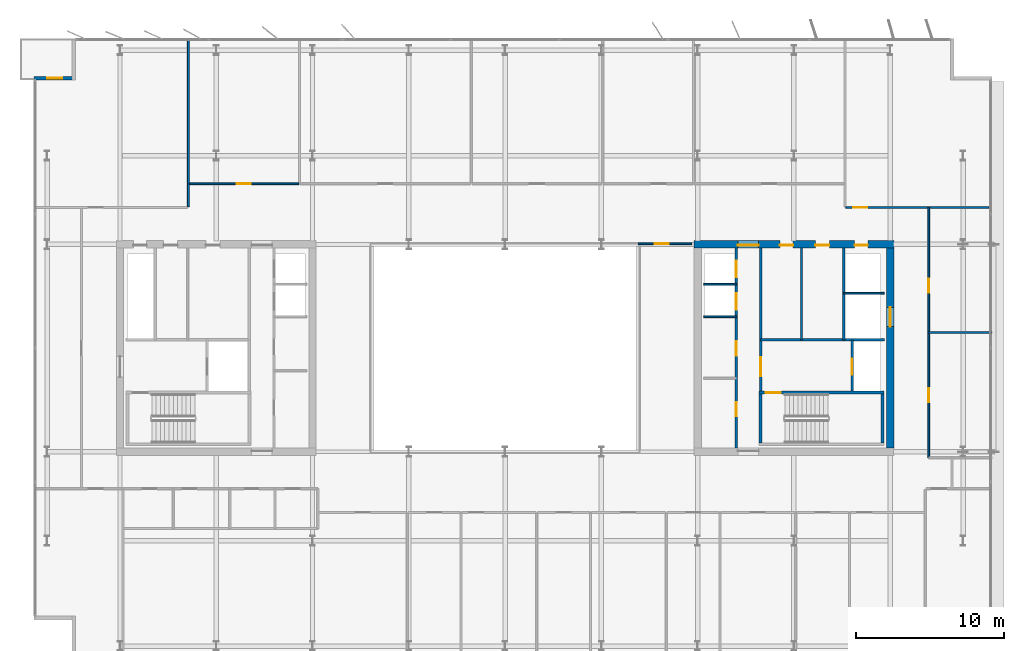
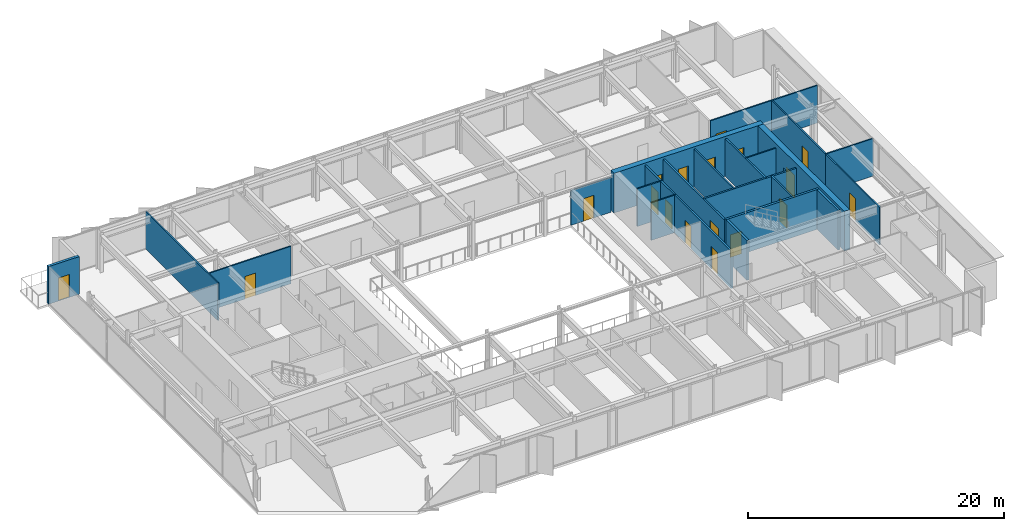
# One storey, part 15 of 20: 22 walls, 18 doors, 18 openings.
"""IFC4 building model written with IfcOpenShell, lengths in metres."""

from ifc_helpers import new_model, si_unit, direction, frame, frame_2d, origin, place, context, subcontext, project, spatial, rectangle, extrude, material, layer, layer_set, type_object, element, fill, save


model = new_model("IFC4")

# Units and contexts
model_context = context("Model", 3, precision=1e-05, world=origin(), true_north=direction((0.0, 1.0)))
body_context = subcontext(model_context, "Body", "Model", "MODEL_VIEW")
ifc_project = project(units=[si_unit("LENGTHUNIT", "METRE"), si_unit("AREAUNIT", "SQUARE_METRE"), si_unit("VOLUMEUNIT", "CUBIC_METRE"), si_unit("PLANEANGLEUNIT", "RADIAN"), si_unit("MASSUNIT", "GRAM", prefix="KILO")], contexts=[model_context])

# Site, building, storey
site_placement = place(None, origin())
site = spatial("IfcSite", under=ifc_project, at=site_placement, CompositionType="ELEMENT")
building_placement = place(site_placement, origin())
building = spatial("IfcBuilding", under=site, at=building_placement, Name="Putna Gate Headquarters", CompositionType="ELEMENT")
storey_placement = place(building_placement, frame((0.0, 0.0, 274.60009765625)))
storey = spatial("IfcBuildingStorey", under=building, at=storey_placement, Name="L69", CompositionType="ELEMENT", Elevation=274.60009765625)

# Wall, openings, doors
ifc_material_1 = material(Name="Concrete C50/60", Category="concrete")
ifc_layer_1 = layer(ifc_material_1, 0.5)
ifc_layer_set_1 = layer_set([ifc_layer_1], Name="Concrete C50/60")
wall_type_1 = type_object("IfcWallType", Name="WALL-CORE-500", PredefinedType="SHEAR", material=ifc_layer_set_1)
wall_1_placement = place(storey_placement, frame((51.75, 33.0, 0.0), z_axis=(0.0, 0.0, 1.0), x_axis=(1.0, 0.0, 0.0)))
wall_1 = element("IfcWall", 1, at=wall_1_placement, inside=storey, type_object=wall_type_1, Name="L69 EC Split Core Shear Wall N", PredefinedType="SHEAR", context=body_context, shape_type="SweptSolid", body=[
    extrude(rectangle(XDim=13.5, YDim=0.5, at=frame_2d((6.75, 0.0))), origin(), (0.0, 0.0, 1.0), 3.7998046875),
])
opening_1_placement = place(wall_1_placement, frame((2.969970703125, 0.0, 0.0)))
opening_1 = element("IfcOpeningElement", 2, at=opening_1_placement, cuts=wall_1, Name="Opening FDD-140", PredefinedType="OPENING", context=body_context, shape_type="SweptSolid", body=[
    extrude(rectangle(XDim=1.39990234375, YDim=2.199951171875, at=frame_2d((0.699951171875, 1.10009765625))), frame((0.0, 0.260009765625, 0.0), z_axis=(0.0, -1.0, 0.0), x_axis=(1.0, 0.0, 0.0)), (0.0, 0.0, 1.0), 0.52001953125),
])
opening_2_placement = place(wall_1_placement, frame((10.85009765625, 0.0, 0.0)))
opening_2 = element("IfcOpeningElement", 3, at=opening_2_placement, cuts=wall_1, Name="Opening RD-90", PredefinedType="OPENING", context=body_context, shape_type="SweptSolid", body=[
    extrude(rectangle(XDim=0.89990234375, YDim=2.14990234375, at=frame_2d((0.449951171875, 1.074951171875))), frame((0.0, 0.260009765625, 0.0), z_axis=(0.0, -1.0, 0.0), x_axis=(1.0, 0.0, 0.0)), (0.0, 0.0, 1.0), 0.52001953125),
])
opening_3_placement = place(wall_1_placement, frame((5.800048828125, 0.0, 0.0)))
opening_3 = element("IfcOpeningElement", 4, at=opening_3_placement, cuts=wall_1, Name="Opening IDS-90", PredefinedType="OPENING", context=body_context, shape_type="SweptSolid", body=[
    extrude(rectangle(XDim=0.89990234375, YDim=2.14990234375, at=frame_2d((0.449951171875, 1.074951171875))), frame((0.0, 0.260009765625, 0.0), z_axis=(0.0, -1.0, 0.0), x_axis=(1.0, 0.0, 0.0)), (0.0, 0.0, 1.0), 0.52001953125),
])
opening_4_placement = place(wall_1_placement, frame((8.199951171875, 0.0, 0.0)))
opening_4 = element("IfcOpeningElement", 5, at=opening_4_placement, cuts=wall_1, Name="Opening IDS-95", PredefinedType="OPENING", context=body_context, shape_type="SweptSolid", body=[
    extrude(rectangle(XDim=0.949951171875, YDim=2.14990234375, at=frame_2d((0.47509765625, 1.074951171875))), frame((0.0, 0.260009765625, 0.0), z_axis=(0.0, -1.0, 0.0), x_axis=(1.0, 0.0, 0.0)), (0.0, 0.0, 1.0), 0.52001953125),
])
ifc_material_2 = material(Name="Double steel fire door", Category="steel")
door_type_1 = type_object("IfcDoorType", Name="DOOR-FIRE-DBL-1400", OperationType="DOUBLE_DOOR_SINGLE_SWING", PredefinedType="DOOR", material=ifc_material_2)
door_1_placement = place(opening_1_placement, origin())
door_1 = element("IfcDoor", 6, at=door_1_placement, inside=storey, type_object=door_type_1, Name="L69 East Lift Lobby North Door", OperationType="DOUBLE_DOOR_SINGLE_SWING", OverallHeight=2.199951171875, OverallWidth=1.39990234375, PredefinedType="DOOR", context=body_context, shape_type="SweptSolid", body=[
    extrude(rectangle(XDim=1.39990234375, YDim=2.199951171875, at=frame_2d((0.699951171875, 1.10009765625))), frame((0.0, -0.02490234375, 0.0), z_axis=(0.0, -1.0, 0.0), x_axis=(1.0, 0.0, 0.0)), (0.0, 0.0, 1.0), 0.050048828125),
])
fill(opening_1, door_1)
ifc_material_3 = material(Name="Fire-rated utility door")
door_type_2 = type_object("IfcDoorType", Name="DOOR-INT-900", OperationType="NOTDEFINED", PredefinedType="DOOR", material=ifc_material_3)
door_2_placement = place(opening_3_placement, origin())
door_2 = element("IfcDoor", 7, at=door_2_placement, inside=storey, type_object=door_type_2, Name="L69 Telecoms Plant Door", OperationType="SINGLE_SWING_LEFT", OverallHeight=2.14990234375, OverallWidth=0.89990234375, PredefinedType="DOOR", context=body_context, shape_type="SweptSolid", body=[
    extrude(rectangle(XDim=0.89990234375, YDim=2.14990234375, at=frame_2d((0.449951171875, 1.074951171875))), frame((0.0, -0.02490234375, 0.0), z_axis=(0.0, -1.0, 0.0), x_axis=(1.0, 0.0, 0.0)), (0.0, 0.0, 1.0), 0.050048828125),
])
fill(opening_3, door_2)
ifc_material_4 = material(Name="Fire-rated service timber door", Category="wood")
door_type_3 = type_object("IfcDoorType", Name="DOOR-INT-950", OperationType="NOTDEFINED", PredefinedType="DOOR", material=ifc_material_4)
door_3_placement = place(opening_4_placement, origin())
door_3 = element("IfcDoor", 8, at=door_3_placement, inside=storey, type_object=door_type_3, Name="L69 Supplies Store Door", OperationType="SINGLE_SWING_RIGHT", OverallHeight=2.14990234375, OverallWidth=0.949951171875, PredefinedType="DOOR", context=body_context, shape_type="SweptSolid", body=[
    extrude(rectangle(XDim=0.949951171875, YDim=2.14990234375, at=frame_2d((0.47509765625, 1.074951171875))), frame((0.0, -0.02490234375, 0.0), z_axis=(0.0, -1.0, 0.0), x_axis=(1.0, 0.0, 0.0)), (0.0, 0.0, 1.0), 0.050048828125),
])
fill(opening_4, door_3)
ifc_material_5 = material(Name="Steel riser access fire door", Category="steel")
door_type_4 = type_object("IfcDoorType", Name="DOOR-RISER-900", OperationType="NOTDEFINED", PredefinedType="DOOR", material=ifc_material_5)
door_4_placement = place(opening_2_placement, origin())
door_4 = element("IfcDoor", 9, at=door_4_placement, inside=storey, type_object=door_type_4, Name="L69 East Riser Access Door", OperationType="SINGLE_SWING_LEFT", OverallHeight=2.14990234375, OverallWidth=0.89990234375, PredefinedType="DOOR", context=body_context, shape_type="SweptSolid", body=[
    extrude(rectangle(XDim=0.89990234375, YDim=2.14990234375, at=frame_2d((0.449951171875, 1.074951171875))), frame((0.0, -0.02490234375, 0.0), z_axis=(0.0, -1.0, 0.0), x_axis=(1.0, 0.0, 0.0)), (0.0, 0.0, 1.0), 0.050048828125),
])
fill(opening_2, door_4)

# Wall, opening, door
wall_2_placement = place(storey_placement, frame((65.0, 19.25, 0.0), z_axis=(0.0, 0.0, 1.0), x_axis=(0.0, 1.0, 0.0)))
wall_2 = element("IfcWall", 10, at=wall_2_placement, inside=storey, type_object=wall_type_1, Name="L69 EC Split Core Shear Wall E", PredefinedType="SHEAR", context=body_context, shape_type="SweptSolid", body=[
    extrude(rectangle(XDim=13.5, YDim=0.5, at=frame_2d((6.75, 0.0))), origin(), (0.0, 0.0, 1.0), 3.7998046875),
])
opening_5_placement = place(wall_2_placement, frame((8.199951171875, 0.0, 0.0)))
opening_5 = element("IfcOpeningElement", 11, at=opening_5_placement, cuts=wall_2, Name="Opening LD-2", PredefinedType="OPENING", context=body_context, shape_type="SweptSolid", body=[
    extrude(rectangle(XDim=1.300048828125, YDim=2.199951171875, at=frame_2d((0.64990234375, 1.10009765625))), frame((0.0, 0.260009765625, 0.0), z_axis=(0.0, -1.0, 0.0), x_axis=(1.0, 0.0, 0.0)), (0.0, 0.0, 1.0), 0.52001953125),
])
ifc_material_6 = material(Name="Heavy-duty goods lift sliding landing door")
door_type_5 = type_object("IfcDoorType", Name="DOOR-LIFT-1300", OperationType="DOUBLE_DOOR_SLIDING", PredefinedType="DOOR", material=ifc_material_6)
door_5_placement = place(opening_5_placement, origin())
door_5 = element("IfcDoor", 12, at=door_5_placement, inside=storey, type_object=door_type_5, Name="L69 Goods Lift Landing Door LD-15", OperationType="DOUBLE_DOOR_SLIDING", OverallHeight=2.199951171875, OverallWidth=1.300048828125, PredefinedType="DOOR", context=body_context, shape_type="SweptSolid", body=[
    extrude(rectangle(XDim=1.300048828125, YDim=2.199951171875, at=frame_2d((0.64990234375, 1.10009765625))), frame((0.0, 0.02490234375, 0.0), z_axis=(0.0, -1.0, 0.0), x_axis=(1.0, 0.0, 0.0)), (0.0, 0.0, 1.0), 0.050048828125),
])
fill(opening_5, door_5)

ifc_material_7 = material(Name="Precast concrete C40/50", Category="concrete")
ifc_layer_2 = layer(ifc_material_7, 0.239990234375)
ifc_layer_set_2 = layer_set([ifc_layer_2], Name="Precast concrete C40/50")
wall_type_2 = type_object("IfcWallType", Name="WALL-EXT-TERR-240", PredefinedType="STANDARD", material=ifc_layer_set_2)
wall_3_placement = place(storey_placement, frame((7.199951171875, 44.219970703125, 0.0), z_axis=(0.0, 0.0, 1.0), x_axis=(1.0, 0.0, 0.0)))
wall_3 = element("IfcWall", 13, at=wall_3_placement, inside=storey, type_object=wall_type_2, Name="L69 Corner Notch Return Wall NW-H", PredefinedType="STANDARD", context=body_context, shape_type="SweptSolid", body=[
    extrude(rectangle(XDim=2.800048828125, YDim=0.239990234375, at=frame_2d((1.39990234375, 0.0))), origin(), (0.0, 0.0, 1.0), 3.587890625),
])
opening_6_placement = place(wall_3_placement, frame((0.89990234375, 0.0, 0.0)))
opening_6 = element("IfcOpeningElement", 14, at=opening_6_placement, cuts=wall_3, Name="Opening TRD-1", PredefinedType="OPENING", context=body_context, shape_type="SweptSolid", body=[
    extrude(rectangle(XDim=1.0, YDim=2.199951171875, at=frame_2d((0.5, 1.10009765625))), frame((0.0, 0.1298828125, 0.0), z_axis=(0.0, -1.0, 0.0), x_axis=(1.0, 0.0, 0.0)), (0.0, 0.0, 1.0), 0.260009765625),
])
ifc_material_8 = material(Name="Thermally broken bronze glazed terrace door")
door_type_6 = type_object("IfcDoorType", Name="DOOR-TERR-EXT-1000", OperationType="NOTDEFINED", PredefinedType="DOOR", material=ifc_material_8)
door_6_placement = place(opening_6_placement, origin())
door_6 = element("IfcDoor", 15, at=door_6_placement, inside=storey, type_object=door_type_6, Name="L69 Spiral Sky Terrace Door NW", OperationType="SINGLE_SWING_RIGHT", OverallHeight=2.199951171875, OverallWidth=1.0, PredefinedType="DOOR", context=body_context, shape_type="SweptSolid", body=[
    extrude(rectangle(XDim=1.0, YDim=2.199951171875, at=frame_2d((0.5, 1.10009765625))), frame((0.0, 0.02490234375, 0.0), z_axis=(0.0, -1.0, 0.0), x_axis=(1.0, 0.0, 0.0)), (0.0, 0.0, 1.0), 0.050048828125),
])
fill(opening_6, door_6)

ifc_material_9 = material(Name="Acoustic gypsum board on metal stud")
ifc_layer_3 = layer(ifc_material_9, 0.1201171875)
ifc_layer_set_3 = layer_set([ifc_layer_3], Name="Acoustic gypsum board on metal stud")
wall_type_3 = type_object("IfcWallType", Name="WALL-PART-120", PredefinedType="PARTITIONING", material=ifc_layer_set_3)
wall_4_placement = place(storey_placement, frame((48.0, 33.0400390625, 0.0), z_axis=(0.0, 0.0, 1.0), x_axis=(1.0, 0.0, 0.0)))
wall_4 = element("IfcWall", 16, at=wall_4_placement, inside=storey, type_object=wall_type_3, Name="L69 Interior Wall PART-L69-ATR-E-N", PredefinedType="PARTITIONING", context=body_context, shape_type="SweptSolid", body=[
    extrude(rectangle(XDim=3.60009765625, YDim=0.1201171875, at=frame_2d((1.800048828125, 0.0))), origin(), (0.0, 0.0, 1.0), 3.327880859375),
])
opening_7_placement = place(wall_4_placement, frame((1.10009765625, 0.0, 0.0)))
opening_7 = element("IfcOpeningElement", 17, at=opening_7_placement, cuts=wall_4, Name="Opening ID-95", PredefinedType="OPENING", context=body_context, shape_type="SweptSolid", body=[
    extrude(rectangle(XDim=0.949951171875, YDim=2.14990234375, at=frame_2d((0.47509765625, 1.074951171875))), frame((0.0, 0.070068359375, 0.0), z_axis=(0.0, -1.0, 0.0), x_axis=(1.0, 0.0, 0.0)), (0.0, 0.0, 1.0), 0.14013671875),
])
ifc_material_10 = material(Name="Veneered acoustic timber door", Category="wood")
door_type_7 = type_object("IfcDoorType", Name="DOOR-OFF-950", OperationType="NOTDEFINED", PredefinedType="DOOR", material=ifc_material_10)
door_7_placement = place(opening_7_placement, origin())
door_7 = element("IfcDoor", 18, at=door_7_placement, inside=storey, type_object=door_type_7, Name="L69 East Sky Atrium Lounge Door", OperationType="SINGLE_SWING_LEFT", OverallHeight=2.14990234375, OverallWidth=0.949951171875, PredefinedType="DOOR", context=body_context, shape_type="SweptSolid", body=[
    extrude(rectangle(XDim=0.949951171875, YDim=2.14990234375, at=frame_2d((0.47509765625, 1.074951171875))), frame((0.0, 0.02490234375, 0.0), z_axis=(0.0, -1.0, 0.0), x_axis=(1.0, 0.0, 0.0)), (0.0, 0.0, 1.0), 0.050048828125),
])
fill(opening_7, door_7)

# Walls
wall_5_placement = place(storey_placement, frame((17.6171875, 35.56005859375, 0.0), z_axis=(0.0, 0.0, 1.0), x_axis=(0.0, 1.0, 0.0)))
element("IfcWall", 19, at=wall_5_placement, inside=storey, type_object=wall_type_3, Name="L69 Interior Wall PART-L69-NB-DIV-01", PredefinedType="PARTITIONING", context=body_context, shape_type="SweptSolid", body=[
    extrude(rectangle(XDim=11.31982421875, YDim=0.1201171875, at=frame_2d((5.659912109375, 0.0))), origin(), (0.0, 0.0, 1.0), 3.587890625),
])
wall_6_placement = place(storey_placement, frame((67.60009765625, 27.050048828125, 0.0), z_axis=(0.0, 0.0, 1.0), x_axis=(1.0, 0.0, 0.0)))
element("IfcWall", 20, at=wall_6_placement, inside=storey, type_object=wall_type_3, Name="L69 Interior Wall PART-L69-EW-DIV-1", PredefinedType="PARTITIONING", context=body_context, shape_type="SweptSolid", body=[
    extrude(rectangle(XDim=4.244873046875, YDim=0.1201171875, at=frame_2d((2.12255859375, 0.0))), origin(), (0.0, 0.0, 1.0), 3.587890625),
])
ifc_material_11 = material(Name="Fire-rated shaftwall gypsum board on metal stud")
ifc_layer_4 = layer(ifc_material_11, 0.1201171875)
ifc_layer_set_4 = layer_set([ifc_layer_4], Name="Fire-rated shaftwall gypsum board on metal stud")
wall_type_4 = type_object("IfcWallType", Name="WALL-PART-120-EI120", PredefinedType="PARTITIONING", material=ifc_layer_set_4)
wall_7_placement = place(storey_placement, frame((52.39990234375, 30.31005859375, 0.0), z_axis=(0.0, 0.0, 1.0), x_axis=(1.0, 0.0, 0.0)))
element("IfcWall", 21, at=wall_7_placement, inside=storey, type_object=wall_type_4, Name="L69 Interior Wall CWINT-L69-EC-LF11-DIV", PredefinedType="PARTITIONING", context=body_context, shape_type="SweptSolid", body=[
    extrude(rectangle(XDim=2.2001953125, YDim=0.1201171875, at=frame_2d((1.10009765625, 0.0))), origin(), (0.0, 0.0, 1.0), 3.587890625),
])
wall_8_placement = place(storey_placement, frame((61.8701171875, 29.699951171875, 0.0), z_axis=(0.0, 0.0, 1.0), x_axis=(1.0, 0.0, 0.0)))
element("IfcWall", 22, at=wall_8_placement, inside=storey, type_object=wall_type_4, Name="L69 Interior Wall CWINT-L69-EC-LF15-N", PredefinedType="PARTITIONING", context=body_context, shape_type="SweptSolid", body=[
    extrude(rectangle(XDim=2.72998046875, YDim=0.1201171875, at=frame_2d((1.364990234375, 0.0))), origin(), (0.0, 0.0, 1.0), 3.587890625),
])
ifc_material_12 = material(Name="Fire-rated gypsum board on metal stud")
ifc_layer_5 = layer(ifc_material_12, 0.1201171875)
ifc_layer_set_5 = layer_set([ifc_layer_5], Name="Fire-rated gypsum board on metal stud")
wall_type_5 = type_object("IfcWallType", Name="WALL-PART-120-RATED", PredefinedType="PARTITIONING", material=ifc_layer_set_5)
wall_9_placement = place(storey_placement, frame((52.39990234375, 28.1201171875, 0.0), z_axis=(0.0, 0.0, 1.0), x_axis=(1.0, 0.0, 0.0)))
element("IfcWall", 23, at=wall_9_placement, inside=storey, type_object=wall_type_5, Name="L69 Interior Wall CWINT-L69-EC-LF08-DIV", PredefinedType="PARTITIONING", context=body_context, shape_type="SweptSolid", body=[
    extrude(rectangle(XDim=2.2001953125, YDim=0.1201171875, at=frame_2d((1.10009765625, 0.0))), origin(), (0.0, 0.0, 1.0), 3.587890625),
])
wall_10_placement = place(storey_placement, frame((59.02001953125, 26.56005859375, 0.0), z_axis=(0.0, 0.0, 1.0), x_axis=(0.0, 1.0, 0.0)))
element("IfcWall", 24, at=wall_10_placement, inside=storey, type_object=wall_type_5, Name="L69 Interior Wall CWINT-L69-EC-K1-DIV", PredefinedType="PARTITIONING", context=body_context, shape_type="SweptSolid", body=[
    extrude(rectangle(XDim=6.18994140625, YDim=0.1201171875, at=frame_2d((3.094970703125, 0.0))), origin(), (0.0, 0.0, 1.0), 3.587890625),
])

# Wall, opening, door
wall_11_placement = place(storey_placement, frame((17.67724609375, 37.10009765625, 0.0), z_axis=(0.0, 0.0, 1.0), x_axis=(1.0, 0.0, 0.0)))
wall_11 = element("IfcWall", 25, at=wall_11_placement, inside=storey, type_object=wall_type_5, Name="L69 Interior Wall PART-L69-NB-CW-02", PredefinedType="PARTITIONING", context=body_context, shape_type="SweptSolid", body=[
    extrude(rectangle(XDim=7.378173828125, YDim=0.1201171875, at=frame_2d((3.68896484375, 0.0))), origin(), (0.0, 0.0, 1.0), 3.587890625),
])
opening_8_placement = place(wall_11_placement, frame((3.214111328125, 0.0, 0.0)))
opening_8 = element("IfcOpeningElement", 26, at=opening_8_placement, cuts=wall_11, Name="Opening FD-95", PredefinedType="OPENING", context=body_context, shape_type="SweptSolid", body=[
    extrude(rectangle(XDim=0.949951171875, YDim=2.14990234375, at=frame_2d((0.47509765625, 1.074951171875))), frame((0.0, 0.070068359375, 0.0), z_axis=(0.0, -1.0, 0.0), x_axis=(1.0, 0.0, 0.0)), (0.0, 0.0, 1.0), 0.14013671875),
])
ifc_material_13 = material(Name="Acoustic timber fire door", Category="wood")
door_type_8 = type_object("IfcDoorType", Name="DOOR-FIRE-950", OperationType="NOTDEFINED", PredefinedType="DOOR", material=ifc_material_13)
door_8_placement = place(opening_8_placement, origin())
door_8 = element("IfcDoor", 27, at=door_8_placement, inside=storey, type_object=door_type_8, Name="L69 Quiet Wellness Focus Studio 3 Door", OperationType="SINGLE_SWING_LEFT", OverallHeight=2.14990234375, OverallWidth=0.949951171875, PredefinedType="DOOR", context=body_context, shape_type="SweptSolid", body=[
    extrude(rectangle(XDim=0.949951171875, YDim=2.14990234375, at=frame_2d((0.47509765625, 1.074951171875))), frame((0.0, 0.02490234375, 0.0), z_axis=(0.0, -1.0, 0.0), x_axis=(1.0, 0.0, 0.0)), (0.0, 0.0, 1.0), 0.050048828125),
])
fill(opening_8, door_8)

wall_12_placement = place(storey_placement, frame((62.015625, 35.5, 0.0), z_axis=(0.0, 0.0, 1.0), x_axis=(1.0, 0.0, 0.0)))
wall_12 = element("IfcWall", 28, at=wall_12_placement, inside=storey, type_object=wall_type_5, Name="L69 Interior Wall PART-L69-NB-CW-07", PredefinedType="PARTITIONING", context=body_context, shape_type="SweptSolid", body=[
    extrude(rectangle(XDim=9.669189453125, YDim=0.1201171875, at=frame_2d((4.83447265625, 0.0))), origin(), (0.0, 0.0, 1.0), 3.587890625),
])
opening_9_placement = place(wall_12_placement, frame((0.47998046875, 0.0, 0.0)))
opening_9 = element("IfcOpeningElement", 29, at=opening_9_placement, cuts=wall_12, Name="Opening FD-95", PredefinedType="OPENING", context=body_context, shape_type="SweptSolid", body=[
    extrude(rectangle(XDim=0.949951171875, YDim=2.14990234375, at=frame_2d((0.47509765625, 1.074951171875))), frame((0.0, 0.070068359375, 0.0), z_axis=(0.0, -1.0, 0.0), x_axis=(1.0, 0.0, 0.0)), (0.0, 0.0, 1.0), 0.14013671875),
])
door_9_placement = place(opening_9_placement, origin())
door_9 = element("IfcDoor", 30, at=door_9_placement, inside=storey, type_object=door_type_8, Name="L69 Collaborative Breakout Lounge 3 Door", OperationType="SINGLE_SWING_RIGHT", OverallHeight=2.14990234375, OverallWidth=0.949951171875, PredefinedType="DOOR", context=body_context, shape_type="SweptSolid", body=[
    extrude(rectangle(XDim=0.949951171875, YDim=2.14990234375, at=frame_2d((0.47509765625, 1.074951171875))), frame((0.0, 0.02490234375, 0.0), z_axis=(0.0, -1.0, 0.0), x_axis=(1.0, 0.0, 0.0)), (0.0, 0.0, 1.0), 0.050048828125),
])
fill(opening_9, door_9)

wall_13_placement = place(storey_placement, frame((67.60009765625, 18.60009765625, 0.0), z_axis=(0.0, 0.0, 1.0), x_axis=(0.0, 1.0, 0.0)))
wall_13 = element("IfcWall", 31, at=wall_13_placement, inside=storey, type_object=wall_type_5, Name="L69 Interior Wall PART-L69-EW-CW-1", PredefinedType="PARTITIONING", context=body_context, shape_type="SweptSolid", body=[
    extrude(rectangle(XDim=8.449951171875, YDim=0.1201171875, at=frame_2d((4.22509765625, 0.0))), origin(), (0.0, 0.0, 1.0), 3.587890625),
])
opening_10_placement = place(wall_13_placement, frame((3.75, 0.0, 0.0)))
opening_10 = element("IfcOpeningElement", 32, at=opening_10_placement, cuts=wall_13, Name="Opening FD-95", PredefinedType="OPENING", context=body_context, shape_type="SweptSolid", body=[
    extrude(rectangle(XDim=0.949951171875, YDim=2.14990234375, at=frame_2d((0.47509765625, 1.074951171875))), frame((0.0, 0.070068359375, 0.0), z_axis=(0.0, -1.0, 0.0), x_axis=(1.0, 0.0, 0.0)), (0.0, 0.0, 1.0), 0.14013671875),
])
door_10_placement = place(opening_10_placement, origin())
door_10 = element("IfcDoor", 33, at=door_10_placement, inside=storey, type_object=door_type_8, Name="L69 East Advisory Office 1 Door", OperationType="SINGLE_SWING_LEFT", OverallHeight=2.14990234375, OverallWidth=0.949951171875, PredefinedType="DOOR", context=body_context, shape_type="SweptSolid", body=[
    extrude(rectangle(XDim=0.949951171875, YDim=2.14990234375, at=frame_2d((0.47509765625, 1.074951171875))), frame((0.0, 0.02490234375, 0.0), z_axis=(0.0, -1.0, 0.0), x_axis=(1.0, 0.0, 0.0)), (0.0, 0.0, 1.0), 0.050048828125),
])
fill(opening_10, door_10)

wall_14_placement = place(storey_placement, frame((67.60009765625, 27.050048828125, 0.0), z_axis=(0.0, 0.0, 1.0), x_axis=(0.0, 1.0, 0.0)))
wall_14 = element("IfcWall", 34, at=wall_14_placement, inside=storey, type_object=wall_type_5, Name="L69 Interior Wall PART-L69-EW-CW-2", PredefinedType="PARTITIONING", context=body_context, shape_type="SweptSolid", body=[
    extrude(rectangle(XDim=8.449951171875, YDim=0.1201171875, at=frame_2d((4.22509765625, 0.0))), origin(), (0.0, 0.0, 1.0), 3.587890625),
])
opening_11_placement = place(wall_14_placement, frame((2.699951171875, 0.0, 0.0)))
opening_11 = element("IfcOpeningElement", 35, at=opening_11_placement, cuts=wall_14, Name="Opening FD-95", PredefinedType="OPENING", context=body_context, shape_type="SweptSolid", body=[
    extrude(rectangle(XDim=0.949951171875, YDim=2.14990234375, at=frame_2d((0.47509765625, 1.074951171875))), frame((0.0, 0.070068359375, 0.0), z_axis=(0.0, -1.0, 0.0), x_axis=(1.0, 0.0, 0.0)), (0.0, 0.0, 1.0), 0.14013671875),
])
door_11_placement = place(opening_11_placement, origin())
door_11 = element("IfcDoor", 36, at=door_11_placement, inside=storey, type_object=door_type_8, Name="L69 East Advisory Office 2 Door", OperationType="SINGLE_SWING_RIGHT", OverallHeight=2.14990234375, OverallWidth=0.949951171875, PredefinedType="DOOR", context=body_context, shape_type="SweptSolid", body=[
    extrude(rectangle(XDim=0.949951171875, YDim=2.14990234375, at=frame_2d((0.47509765625, 1.074951171875))), frame((0.0, 0.02490234375, 0.0), z_axis=(0.0, -1.0, 0.0), x_axis=(1.0, 0.0, 0.0)), (0.0, 0.0, 1.0), 0.050048828125),
])
fill(opening_11, door_11)

# Wall, openings, doors
ifc_material_14 = material(Name="Concrete C40/50", Category="concrete")
ifc_layer_6 = layer(ifc_material_14, 0.159912109375)
ifc_layer_set_6 = layer_set([ifc_layer_6], Name="Concrete C40/50")
wall_type_6 = type_object("IfcWallType", Name="WALL-SHAFT-160", PredefinedType="STANDARD", material=ifc_layer_set_6)
wall_15_placement = place(storey_placement, frame((54.60009765625, 19.25, 0.0), z_axis=(0.0, 0.0, 1.0), x_axis=(0.0, 1.0, 0.0)))
wall_15 = element("IfcWall", 37, at=wall_15_placement, inside=storey, type_object=wall_type_6, Name="L69 Interior Wall CWINT-L69-EC-PL-WALL", PredefinedType="STANDARD", context=body_context, shape_type="SweptSolid", body=[
    extrude(rectangle(XDim=13.5, YDim=0.159912109375, at=frame_2d((6.75, 0.0))), origin(), (0.0, 0.0, 1.0), 3.587890625),
])
opening_12_placement = place(wall_15_placement, frame((2.14990234375, 0.0, 0.0)))
opening_12 = element("IfcOpeningElement", 38, at=opening_12_placement, cuts=wall_15, Name="Opening IDS-95", PredefinedType="OPENING", context=body_context, shape_type="SweptSolid", body=[
    extrude(rectangle(XDim=0.949951171875, YDim=2.14990234375, at=frame_2d((0.47509765625, 1.074951171875))), frame((0.0, 0.08984375, 0.0), z_axis=(0.0, -1.0, 0.0), x_axis=(1.0, 0.0, 0.0)), (0.0, 0.0, 1.0), 0.179931640625),
])
opening_13_placement = place(wall_15_placement, frame((6.25, 0.0, 0.0)))
opening_13 = element("IfcOpeningElement", 39, at=opening_13_placement, cuts=wall_15, Name="Opening IDS-95", PredefinedType="OPENING", context=body_context, shape_type="SweptSolid", body=[
    extrude(rectangle(XDim=0.949951171875, YDim=2.14990234375, at=frame_2d((0.47509765625, 1.074951171875))), frame((0.0, 0.08984375, 0.0), z_axis=(0.0, -1.0, 0.0), x_axis=(1.0, 0.0, 0.0)), (0.0, 0.0, 1.0), 0.179931640625),
])
opening_14_placement = place(wall_15_placement, frame((9.35009765625, 0.0, 0.0)))
opening_14 = element("IfcOpeningElement", 40, at=opening_14_placement, cuts=wall_15, Name="Opening LD-1", PredefinedType="OPENING", context=body_context, shape_type="SweptSolid", body=[
    extrude(rectangle(XDim=1.10009765625, YDim=2.199951171875, at=frame_2d((0.550048828125, 1.10009765625))), frame((0.0, 0.08984375, 0.0), z_axis=(0.0, -1.0, 0.0), x_axis=(1.0, 0.0, 0.0)), (0.0, 0.0, 1.0), 0.179931640625),
])
opening_15_placement = place(wall_15_placement, frame((11.550048828125, 0.0, 0.0)))
opening_15 = element("IfcOpeningElement", 41, at=opening_15_placement, cuts=wall_15, Name="Opening LD-1", PredefinedType="OPENING", context=body_context, shape_type="SweptSolid", body=[
    extrude(rectangle(XDim=1.10009765625, YDim=2.199951171875, at=frame_2d((0.550048828125, 1.10009765625))), frame((0.0, 0.08984375, 0.0), z_axis=(0.0, -1.0, 0.0), x_axis=(1.0, 0.0, 0.0)), (0.0, 0.0, 1.0), 0.179931640625),
])
door_12_placement = place(opening_12_placement, origin())
door_12 = element("IfcDoor", 42, at=door_12_placement, inside=storey, type_object=door_type_3, Name="L69 Executive Archive Door", OperationType="SINGLE_SWING_RIGHT", OverallHeight=2.14990234375, OverallWidth=0.949951171875, PredefinedType="DOOR", context=body_context, shape_type="SweptSolid", body=[
    extrude(rectangle(XDim=0.949951171875, YDim=2.14990234375, at=frame_2d((0.47509765625, 1.074951171875))), frame((0.0, 0.02490234375, 0.0), z_axis=(0.0, -1.0, 0.0), x_axis=(1.0, 0.0, 0.0)), (0.0, 0.0, 1.0), 0.050048828125),
])
fill(opening_12, door_12)
door_13_placement = place(opening_13_placement, origin())
door_13 = element("IfcDoor", 43, at=door_13_placement, inside=storey, type_object=door_type_3, Name="L69 Comms Distribution Door", OperationType="SINGLE_SWING_LEFT", OverallHeight=2.14990234375, OverallWidth=0.949951171875, PredefinedType="DOOR", context=body_context, shape_type="SweptSolid", body=[
    extrude(rectangle(XDim=0.949951171875, YDim=2.14990234375, at=frame_2d((0.47509765625, 1.074951171875))), frame((0.0, 0.02490234375, 0.0), z_axis=(0.0, -1.0, 0.0), x_axis=(1.0, 0.0, 0.0)), (0.0, 0.0, 1.0), 0.050048828125),
])
fill(opening_13, door_13)
ifc_material_15 = material(Name="Brushed bronze stainless lift landing door")
door_type_9 = type_object("IfcDoorType", Name="DOOR-LIFT-1100", OperationType="DOUBLE_DOOR_SLIDING", PredefinedType="DOOR", material=ifc_material_15)
door_14_placement = place(opening_14_placement, origin())
door_14 = element("IfcDoor", 44, at=door_14_placement, inside=storey, type_object=door_type_9, Name="L69 Lift Landing Door LD-11", OperationType="DOUBLE_DOOR_SLIDING", OverallHeight=2.199951171875, OverallWidth=1.10009765625, PredefinedType="DOOR", context=body_context, shape_type="SweptSolid", body=[
    extrude(rectangle(XDim=1.10009765625, YDim=2.199951171875, at=frame_2d((0.550048828125, 1.10009765625))), frame((0.0, 0.02490234375, 0.0), z_axis=(0.0, -1.0, 0.0), x_axis=(1.0, 0.0, 0.0)), (0.0, 0.0, 1.0), 0.050048828125),
])
fill(opening_14, door_14)
door_15_placement = place(opening_15_placement, origin())
door_15 = element("IfcDoor", 45, at=door_15_placement, inside=storey, type_object=door_type_9, Name="L69 Lift Landing Door LD-12", OperationType="DOUBLE_DOOR_SLIDING", OverallHeight=2.199951171875, OverallWidth=1.10009765625, PredefinedType="DOOR", context=body_context, shape_type="SweptSolid", body=[
    extrude(rectangle(XDim=1.10009765625, YDim=2.199951171875, at=frame_2d((0.550048828125, 1.10009765625))), frame((0.0, 0.02490234375, 0.0), z_axis=(0.0, -1.0, 0.0), x_axis=(1.0, 0.0, 0.0)), (0.0, 0.0, 1.0), 0.050048828125),
])
fill(opening_15, door_15)

# Wall, opening, door
wall_16_placement = place(storey_placement, frame((56.260009765625, 23.090087890625, 0.0), z_axis=(0.0, 0.0, 1.0), x_axis=(0.0, 1.0, 0.0)))
wall_16 = element("IfcWall", 46, at=wall_16_placement, inside=storey, type_object=wall_type_6, Name="L69 Interior Wall CWINT-L69-EC-LOB-E", PredefinedType="STANDARD", context=body_context, shape_type="SweptSolid", body=[
    extrude(rectangle(XDim=9.659912109375, YDim=0.159912109375, at=frame_2d((4.830078125, 0.0))), origin(), (0.0, 0.0, 1.0), 3.587890625),
])
opening_16_placement = place(wall_16_placement, frame((1.010009765625, 0.0, 0.0)))
opening_16 = element("IfcOpeningElement", 47, at=opening_16_placement, cuts=wall_16, Name="Opening FDD-130", PredefinedType="OPENING", context=body_context, shape_type="SweptSolid", body=[
    extrude(rectangle(XDim=1.300048828125, YDim=2.199951171875, at=frame_2d((0.64990234375, 1.10009765625))), frame((0.0, 0.08984375, 0.0), z_axis=(0.0, -1.0, 0.0), x_axis=(1.0, 0.0, 0.0)), (0.0, 0.0, 1.0), 0.179931640625),
])
ifc_material_16 = material(Name="Double steel lobby fire door", Category="steel")
door_type_10 = type_object("IfcDoorType", Name="DOOR-FIRE-DBL-1300", OperationType="DOUBLE_DOOR_SINGLE_SWING", PredefinedType="DOOR", material=ifc_material_16)
door_16_placement = place(opening_16_placement, origin())
door_16 = element("IfcDoor", 48, at=door_16_placement, inside=storey, type_object=door_type_10, Name="L69 East Firefighting Lobby Door", OperationType="DOUBLE_DOOR_SINGLE_SWING", OverallHeight=2.199951171875, OverallWidth=1.300048828125, PredefinedType="DOOR", context=body_context, shape_type="SweptSolid", body=[
    extrude(rectangle(XDim=1.300048828125, YDim=2.199951171875, at=frame_2d((0.64990234375, 1.10009765625))), frame((0.0, 0.02490234375, 0.0), z_axis=(0.0, -1.0, 0.0), x_axis=(1.0, 0.0, 0.0)), (0.0, 0.0, 1.0), 0.050048828125),
])
fill(opening_16, door_16)

wall_17_placement = place(storey_placement, frame((62.429931640625, 23.090087890625, 0.0), z_axis=(0.0, 0.0, 1.0), x_axis=(0.0, 1.0, 0.0)))
wall_17 = element("IfcWall", 49, at=wall_17_placement, inside=storey, type_object=wall_type_6, Name="L69 Interior Wall CWINT-L69-EC-LF14-W", PredefinedType="STANDARD", context=body_context, shape_type="SweptSolid", body=[
    extrude(rectangle(XDim=3.469970703125, YDim=0.159912109375, at=frame_2d((1.73486328125, 0.0))), origin(), (0.0, 0.0, 1.0), 3.587890625),
])
opening_17_placement = place(wall_17_placement, frame((1.10009765625, 0.0, 0.0)))
opening_17 = element("IfcOpeningElement", 50, at=opening_17_placement, cuts=wall_17, Name="Opening LD-1", PredefinedType="OPENING", context=body_context, shape_type="SweptSolid", body=[
    extrude(rectangle(XDim=1.10009765625, YDim=2.199951171875, at=frame_2d((0.550048828125, 1.10009765625))), frame((0.0, 0.08984375, 0.0), z_axis=(0.0, -1.0, 0.0), x_axis=(1.0, 0.0, 0.0)), (0.0, 0.0, 1.0), 0.179931640625),
])
door_17_placement = place(opening_17_placement, origin())
door_17 = element("IfcDoor", 51, at=door_17_placement, inside=storey, type_object=door_type_9, Name="L69 Lift Landing Door LD-14", OperationType="DOUBLE_DOOR_SLIDING", OverallHeight=2.199951171875, OverallWidth=1.10009765625, PredefinedType="DOOR", context=body_context, shape_type="SweptSolid", body=[
    extrude(rectangle(XDim=1.10009765625, YDim=2.199951171875, at=frame_2d((0.550048828125, 1.10009765625))), frame((0.0, 0.02490234375, 0.0), z_axis=(0.0, -1.0, 0.0), x_axis=(1.0, 0.0, 0.0)), (0.0, 0.0, 1.0), 0.050048828125),
])
fill(opening_17, door_17)

# Walls
wall_18_placement = place(storey_placement, frame((56.260009765625, 26.56005859375, 0.0), z_axis=(0.0, 0.0, 1.0), x_axis=(1.0, 0.0, 0.0)))
element("IfcWall", 52, at=wall_18_placement, inside=storey, type_object=wall_type_6, Name="L69 Interior Wall CWINT-L69-EC-FFL-N", PredefinedType="STANDARD", context=body_context, shape_type="SweptSolid", body=[
    extrude(rectangle(XDim=8.340087890625, YDim=0.159912109375, at=frame_2d((4.169921875, 0.0))), origin(), (0.0, 0.0, 1.0), 3.587890625),
])
wall_19_placement = place(storey_placement, frame((61.8701171875, 26.56005859375, 0.0), z_axis=(0.0, 0.0, 1.0), x_axis=(0.0, 1.0, 0.0)))
element("IfcWall", 53, at=wall_19_placement, inside=storey, type_object=wall_type_6, Name="L69 Interior Wall CWINT-L69-EC-LF15-W", PredefinedType="STANDARD", context=body_context, shape_type="SweptSolid", body=[
    extrude(rectangle(XDim=6.18994140625, YDim=0.159912109375, at=frame_2d((3.094970703125, 0.0))), origin(), (0.0, 0.0, 1.0), 3.587890625),
])

# Wall, opening, door
ifc_layer_7 = layer(ifc_material_14, 0.199951171875)
ifc_layer_set_7 = layer_set([ifc_layer_7], Name="Concrete C40/50")
wall_type_7 = type_object("IfcWallType", Name="WALL-SHAFT-RC200", PredefinedType="SHEAR", material=ifc_layer_set_7)
wall_20_placement = place(storey_placement, frame((56.159912109375, 22.989990234375, 0.0), z_axis=(0.0, 0.0, 1.0), x_axis=(1.0, 0.0, 0.0)))
wall_20 = element("IfcWall", 54, at=wall_20_placement, inside=storey, type_object=wall_type_7, Name="L69 Stair ST2 Structural Shaft Wall N", PredefinedType="SHEAR", context=body_context, shape_type="SweptSolid", body=[
    extrude(rectangle(XDim=8.43017578125, YDim=0.199951171875, at=frame_2d((4.215087890625, 0.0))), origin(), (0.0, 0.0, 1.0), 3.7998046875),
])
opening_18_placement = place(wall_20_placement, frame((0.449951171875, 0.0, 0.0)))
opening_18 = element("IfcOpeningElement", 55, at=opening_18_placement, cuts=wall_20, Name="Opening FD-100", PredefinedType="OPENING", context=body_context, shape_type="SweptSolid", body=[
    extrude(rectangle(XDim=1.0, YDim=2.14990234375, at=frame_2d((0.5, 1.074951171875))), frame((0.0, 0.10986328125, 0.0), z_axis=(0.0, -1.0, 0.0), x_axis=(1.0, 0.0, 0.0)), (0.0, 0.0, 1.0), 0.219970703125),
])
ifc_material_17 = material(Name="Powder-coated steel fire door", Category="steel")
door_type_11 = type_object("IfcDoorType", Name="DOOR-FIRE-1000", OperationType="NOTDEFINED", PredefinedType="DOOR", material=ifc_material_17)
door_18_placement = place(opening_18_placement, origin())
door_18 = element("IfcDoor", 56, at=door_18_placement, inside=storey, type_object=door_type_11, Name="L69 Stair ST2 Fire Door", OperationType="SINGLE_SWING_RIGHT", OverallHeight=2.14990234375, OverallWidth=1.0, PredefinedType="DOOR", context=body_context, shape_type="SweptSolid", body=[
    extrude(rectangle(XDim=1.0, YDim=2.14990234375, at=frame_2d((0.5, 1.074951171875))), frame((0.0, 0.02490234375, 0.0), z_axis=(0.0, -1.0, 0.0), x_axis=(1.0, 0.0, 0.0)), (0.0, 0.0, 1.0), 0.050048828125),
])
fill(opening_18, door_18)

# Walls
for number, where, z_axis, x_axis, name in (
    (57, (56.260009765625, 19.610107421875, 0.0), (0.0, 0.0, 1.0), (0.0, 1.0, 0.0), "L69 Stair ST2 Structural Shaft Wall W"),
    (58, (64.489990234375, 19.610107421875, 0.0), (0.0, 0.0, 1.0), (0.0, 1.0, 0.0), "L69 Stair ST2 Structural Shaft Wall E"),
):
    element("IfcWall", number, at=place(storey_placement, frame(where, z_axis=z_axis, x_axis=x_axis)), inside=storey, type_object=wall_type_7, Name=name, PredefinedType="SHEAR", context=body_context, shape_type="SweptSolid", body=[
        extrude(rectangle(XDim=3.27978515625, YDim=0.199951171875, at=frame_2d((1.639892578125, 0.0))), origin(), (0.0, 0.0, 1.0), 3.7998046875),
    ])

save(model, "model.ifc")
